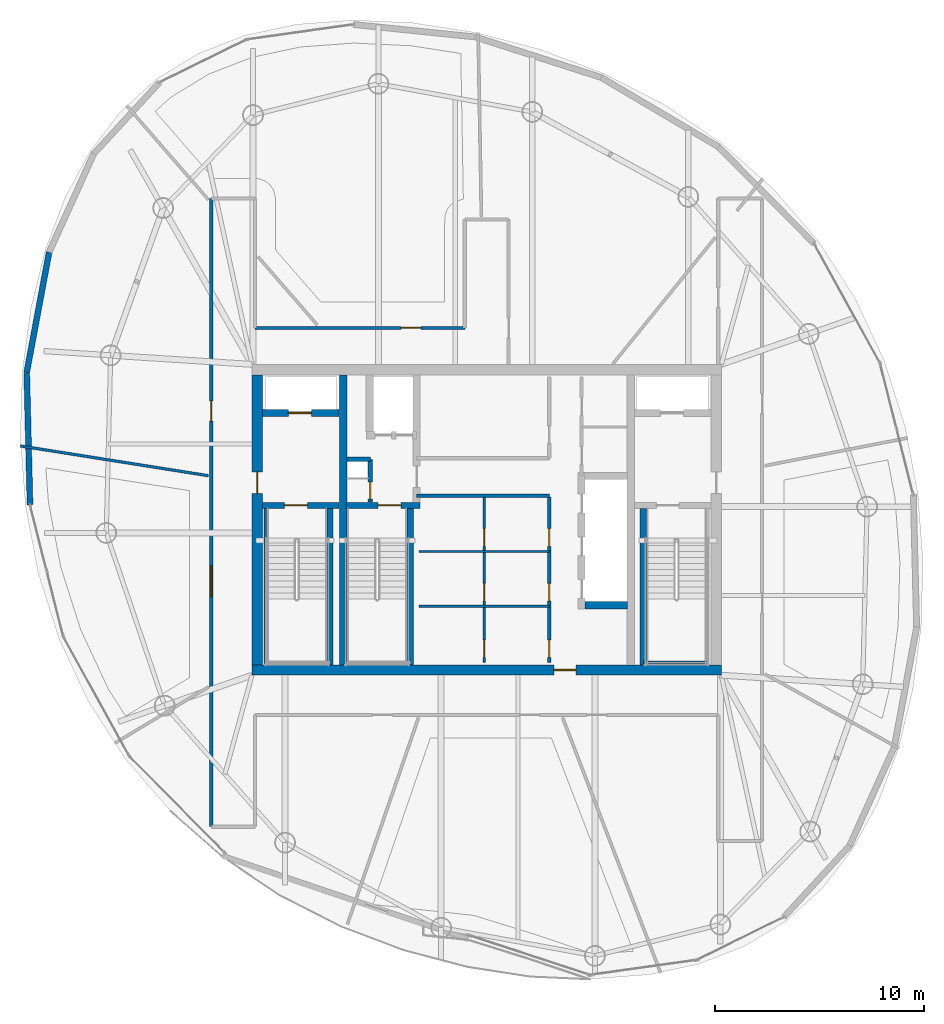
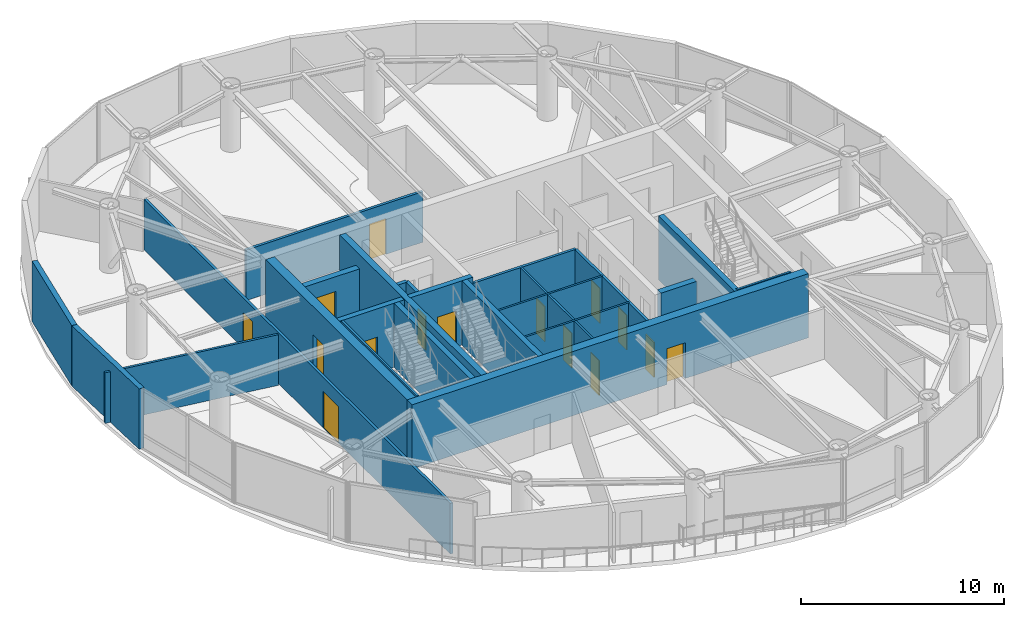
# One storey, part 15 of 20: 24 walls, 15 doors, 15 openings.
"""IFC4 building model written with IfcOpenShell, lengths in metres."""

import ifcopenshell
import ifcopenshell.guid

model = None  # the IFC model being written
_history = None  # IfcOwnerHistory: only IFC2X3 demands one
_inside = {}  # id of a spatial element -> (the spatial element, [elements in it])
_under = {}  # id of a project, library or spatial element -> (it, [spatial elements below it])
_declared = {}  # id of a project -> (the project, [libraries it declares])
_typed = {}  # id of a type object -> (the type object, [elements of that type])
_made_of = {}  # id of a material, layer set ... -> (it, [elements and type objects made of it])


def new_model(schema):
    """Start an empty IFC model of exactly this schema.

    Asked for "IFC4X3", IfcOpenShell would pick the latest addendum, in which some entities
    have other attributes; the version numbers below select the first issue.
    IFC2X3 requires an IfcOwnerHistory on every rooted entity: one is made here for all.
    """
    global model, _history
    if schema == "IFC4X3":
        model = ifcopenshell.file(schema_version=(4, 3, 0, 0))
    else:
        model = ifcopenshell.file(schema=schema)
    _inside.clear()
    _under.clear()
    _declared.clear()
    _typed.clear()
    _made_of.clear()
    _history = None
    if model.schema == "IFC2X3":
        org = make("IfcOrganization", Name="unknown")
        user = make(
            "IfcPersonAndOrganization",
            ThePerson=make("IfcPerson", FamilyName="unknown"),
            TheOrganization=org,
        )
        app = make(
            "IfcApplication",
            ApplicationDeveloper=org,
            Version="unknown",
            ApplicationFullName="unknown",
            ApplicationIdentifier="unknown",
        )
        _history = make(
            "IfcOwnerHistory",
            OwningUser=user,
            OwningApplication=app,
            ChangeAction="ADDED",
            CreationDate=0,
        )
    return model


def make(cls, **values):
    """One entity of the class cls with the attributes given. An attribute that is None is left unset."""
    return model.create_entity(
        cls, **{name: value for name, value in values.items() if value is not None}
    )


def rooted(cls, **values):
    """An entity with a GlobalId (a new one), such as an element, a storey or a relation."""
    return make(cls, GlobalId=ifcopenshell.guid.new(), OwnerHistory=_history, **values)


def si_unit(unit_type, name, prefix=None):
    """IfcSIUnit, for example si_unit("LENGTHUNIT", "METRE", prefix="MILLI")."""
    return make("IfcSIUnit", UnitType=unit_type, Prefix=prefix, Name=name)


def assignment(units):
    """IfcUnitAssignment: the units of a project."""
    return None if units is None else make("IfcUnitAssignment", Units=units)


def point(xyz):
    """IfcCartesianPoint."""
    return None if xyz is None else make("IfcCartesianPoint", Coordinates=xyz)


def direction(xyz):
    """IfcDirection."""
    return None if xyz is None else make("IfcDirection", DirectionRatios=xyz)


def frame(location, z_axis=None, x_axis=None):
    """IfcAxis2Placement3D, a coordinate frame: its origin and axes. An axis left out is left unset."""
    return make(
        "IfcAxis2Placement3D",
        Location=point(location),
        Axis=direction(z_axis),
        RefDirection=direction(x_axis),
    )


def frame_2d(location, x_axis=None):
    """IfcAxis2Placement2D, a coordinate frame in the plane: its origin and x axis."""
    return make(
        "IfcAxis2Placement2D", Location=point(location), RefDirection=direction(x_axis)
    )


def origin():
    """The frame at (0, 0, 0) with its axes left unset."""
    return frame((0.0, 0.0, 0.0))


def place(relative_to, where):
    """IfcLocalPlacement: puts the frame where relative to a parent placement (None: the world)."""
    return make(
        "IfcLocalPlacement", PlacementRelTo=relative_to, RelativePlacement=where
    )


def context(
    kind, dimensions, precision=None, world=None, true_north=None, identifier=None
):
    """IfcGeometricRepresentationContext, for example the 3D "Model" context."""
    return make(
        "IfcGeometricRepresentationContext",
        ContextIdentifier=identifier,
        ContextType=kind,
        CoordinateSpaceDimension=dimensions,
        Precision=precision,
        WorldCoordinateSystem=world,
        TrueNorth=true_north,
    )


def subcontext(parent, identifier, kind, view, scale=None):
    """IfcGeometricRepresentationSubContext, for example "Body" below "Model"."""
    return make(
        "IfcGeometricRepresentationSubContext",
        ContextIdentifier=identifier,
        ContextType=kind,
        ParentContext=parent,
        TargetScale=scale,
        TargetView=view,
    )


def project(units=None, contexts=None):
    """IfcProject with its units and contexts."""
    return rooted(
        "IfcProject",
        Name="project",
        RepresentationContexts=contexts,
        UnitsInContext=assignment(units),
    )


def spatial(cls, under=None, at=None, **own):
    """A site, building, storey or space (cls), placed at a placement, below another one or the project."""
    s = rooted(cls, ObjectPlacement=at, **own)
    if under is not None:
        _under.setdefault(under.id(), (under, []))[1].append(s)
    return s


def profile(cls, at=None, kind="AREA", **sizes):
    """A parametric profile (cls). Its sizes go by their IFC names, for example OverallWidth=200.0."""
    return make(cls, ProfileType=kind, Position=at, **sizes)


def rectangle(**sizes):
    """IfcRectangleProfileDef."""
    return profile("IfcRectangleProfileDef", **sizes)


def extrude(swept, where, along, depth):
    """IfcExtrudedAreaSolid: the profile swept, set in the frame where, extruded along a direction by depth."""
    return make(
        "IfcExtrudedAreaSolid",
        SweptArea=swept,
        Position=where,
        ExtrudedDirection=direction(along),
        Depth=depth,
    )


def shape(context_of_items, identifier, shape_type, items):
    """IfcShapeRepresentation: the items that make up one representation, for example the "Body"."""
    return make(
        "IfcShapeRepresentation",
        ContextOfItems=context_of_items,
        RepresentationIdentifier=identifier,
        RepresentationType=shape_type,
        Items=items,
    )


def material(Name=None, Category=None):
    """IfcMaterial."""
    return make("IfcMaterial", Name=Name, Category=Category)


def layer(
    of_material, thickness, ventilated=None, Name=None, Category=None, Priority=None
):
    """IfcMaterialLayer: one layer of a wall or slab, of a material (None: an air gap)."""
    return make(
        "IfcMaterialLayer",
        Material=of_material,
        LayerThickness=thickness,
        IsVentilated=ventilated,
        Name=Name,
        Category=Category,
        Priority=Priority,
    )


def layer_set(layers, Name=None):
    """IfcMaterialLayerSet."""
    return make("IfcMaterialLayerSet", MaterialLayers=layers, LayerSetName=Name)


def made_of(thing, what):
    """Note that an element or type object is made of a material, layer set ...; save() writes the relation."""
    if what is not None:
        _made_of.setdefault(what.id(), (what, []))[1].append(thing)
    return thing


def type_object(cls, material=None, **own):
    """A type object (cls), such as IfcWallType, which elements share."""
    return made_of(rooted(cls, **own), material)


def element(
    cls,
    number,
    at=None,
    inside=None,
    cuts=None,
    type_object=None,
    material=None,
    context=None,
    identifier="Body",
    shape_type=None,
    held_by="IfcProductDefinitionShape",
    body=None,
    shapes=None,
    **own,
):
    """One element of the class cls, such as IfcWall. Its Tag is "e" and its number.

    at: its placement. inside: the storey or other place that contains it. cuts: it is an
    opening in that element (IfcRelVoidsElement). A single representation is given by context,
    identifier, shape_type and body (its items); several are given by shapes. held_by: the class
    of the entity that holds the representations. save() writes the other relations.
    """
    e = rooted(cls, Tag="e%d" % number, ObjectPlacement=at, **own)
    if body is not None:
        shapes = [shape(context, identifier, shape_type, body)]
    if shapes is not None:
        e.Representation = make(held_by, Representations=shapes)
    if inside is not None:
        _inside.setdefault(inside.id(), (inside, []))[1].append(e)
    if cuts is not None:
        rooted(
            "IfcRelVoidsElement", RelatingBuildingElement=cuts, RelatedOpeningElement=e
        )
    if type_object is not None:
        _typed.setdefault(type_object.id(), (type_object, []))[1].append(e)
    return made_of(e, material)


def fill(opening, filler):
    """IfcRelFillsElement: the door or window that sits in an opening."""
    return rooted(
        "IfcRelFillsElement",
        RelatingOpeningElement=opening,
        RelatedBuildingElement=filler,
    )


def aggregate(whole, parts):
    """IfcRelAggregates: a whole, such as a stair, and the parts it consists of."""
    return rooted("IfcRelAggregates", RelatingObject=whole, RelatedObjects=parts)


def save(model, path):
    """Write the relations noted so far, then the file.

    IfcRelAggregates (storeys below a building ...), IfcRelContainedInSpatialStructure (elements
    in a storey), IfcRelDefinesByType, IfcRelAssociatesMaterial and IfcRelDeclares: one each for
    every whole, place, type object, material and project.
    """
    for whole, parts in _under.values():
        aggregate(whole, parts)
    for where, things in _inside.values():
        rooted(
            "IfcRelContainedInSpatialStructure",
            RelatedElements=things,
            RelatingStructure=where,
        )
    for kind, things in _typed.values():
        rooted("IfcRelDefinesByType", RelatedObjects=things, RelatingType=kind)
    for what, things in _made_of.values():
        rooted("IfcRelAssociatesMaterial", RelatedObjects=things, RelatingMaterial=what)
    for by, libraries in _declared.values():
        rooted("IfcRelDeclares", RelatingContext=by, RelatedDefinitions=libraries)
    model.write(path)


model = new_model("IFC4")

# Units and contexts
model_context = context("Model", 3, precision=1e-05, world=origin(), true_north=direction((0.0, 1.0)))
body_context = subcontext(model_context, "Body", "Model", "MODEL_VIEW")
ifc_project = project(units=[si_unit("LENGTHUNIT", "METRE"), si_unit("AREAUNIT", "SQUARE_METRE"), si_unit("VOLUMEUNIT", "CUBIC_METRE"), si_unit("PLANEANGLEUNIT", "RADIAN"), si_unit("MASSUNIT", "GRAM", prefix="KILO")], contexts=[model_context])

# Site, building, storey
site_placement = place(None, origin())
site = spatial("IfcSite", under=ifc_project, at=site_placement, CompositionType="ELEMENT")
building_placement = place(site_placement, origin())
building = spatial("IfcBuilding", under=site, at=building_placement, Name="Bramvorn Convention Spire", CompositionType="ELEMENT")
storey_placement = place(building_placement, frame((0.0, 0.0, 245.89990234375)))
storey = spatial("IfcBuildingStorey", under=building, at=storey_placement, Name="L62", CompositionType="ELEMENT", Elevation=245.89990234375)

# Wall, opening, door
ifc_material_1 = material(Name="Concrete C50/60", Category="concrete")
ifc_layer_1 = layer(ifc_material_1, 0.5)
ifc_layer_set_1 = layer_set([ifc_layer_1], Name="Concrete C50/60 - WL-CORE-500")
wall_type_1 = type_object("IfcWallType", Name="WL-CORE-500", PredefinedType="SHEAR", material=ifc_layer_set_1)
wall_1_placement = place(storey_placement, frame((26.75, 18.800048828125, 0.0), z_axis=(0.0, 0.0, 1.0), x_axis=(1.0, 0.0, 0.0)))
wall_1 = element("IfcWall", 1, at=wall_1_placement, inside=storey, type_object=wall_type_1, Name="L62 South RC core shear wall", PredefinedType="SHEAR", context=body_context, shape_type="SweptSolid", body=[
    extrude(rectangle(XDim=22.5, YDim=0.5, at=frame_2d((11.25, 0.0))), origin(), (0.0, 0.0, 1.0), 3.85009765625),
])
opening_1_placement = place(wall_1_placement, frame((14.469970703125, 0.0, 0.0)))
opening_1 = element("IfcOpeningElement", 2, at=opening_1_placement, cuts=wall_1, Name="Opening DL-105", PredefinedType="OPENING", context=body_context, shape_type="SweptSolid", body=[
    extrude(rectangle(XDim=1.050048828125, YDim=2.14990234375, at=frame_2d((0.52490234375, 1.074951171875))), frame((0.0, 0.260009765625, 0.0), z_axis=(0.0, -1.0, 0.0), x_axis=(1.0, 0.0, 0.0)), (0.0, 0.0, 1.0), 0.52001953125),
])
ifc_material_2 = material(Name="Smoke-Sealed Fire Lobby Timber-Core Door", Category="wood")
door_type_1 = type_object("IfcDoorType", Name="DR-LOBBY-1050", OperationType="NOTDEFINED", PredefinedType="DOOR", material=ifc_material_2)
door_1_placement = place(opening_1_placement, origin())
door_1 = element("IfcDoor", 3, at=door_1_placement, inside=storey, type_object=door_type_1, Name="L62 South Lift Lobby fire door", OperationType="SINGLE_SWING_RIGHT", OverallHeight=2.14990234375, OverallWidth=1.050048828125, PredefinedType="DOOR", context=body_context, shape_type="SweptSolid", body=[
    extrude(rectangle(XDim=1.050048828125, YDim=2.14990234375, at=frame_2d((0.52490234375, 1.074951171875))), frame((0.0, 0.02490234375, 0.0), z_axis=(0.0, -1.0, 0.0), x_axis=(1.0, 0.0, 0.0)), (0.0, 0.0, 1.0), 0.050048828125),
])
fill(opening_1, door_1)

wall_2_placement = place(storey_placement, frame((27.0, 19.050048828125, 0.0), z_axis=(0.0, 0.0, 1.0), x_axis=(0.0, 1.0, 0.0)))
wall_2 = element("IfcWall", 4, at=wall_2_placement, inside=storey, type_object=wall_type_1, Name="L62 West RC core shear wall", PredefinedType="SHEAR", context=body_context, shape_type="SweptSolid", body=[
    extrude(rectangle(XDim=13.89990234375, YDim=0.5, at=frame_2d((6.949951171875, 0.0))), origin(), (0.0, 0.0, 1.0), 3.85009765625),
])
opening_2_placement = place(wall_2_placement, frame((8.199951171875, 0.0, 0.0)))
opening_2 = element("IfcOpeningElement", 5, at=opening_2_placement, cuts=wall_2, Name="Opening DL-105", PredefinedType="OPENING", context=body_context, shape_type="SweptSolid", body=[
    extrude(rectangle(XDim=1.050048828125, YDim=2.14990234375, at=frame_2d((0.52490234375, 1.074951171875))), frame((0.0, 0.260009765625, 0.0), z_axis=(0.0, -1.0, 0.0), x_axis=(1.0, 0.0, 0.0)), (0.0, 0.0, 1.0), 0.52001953125),
])
door_2_placement = place(opening_2_placement, origin())
door_2 = element("IfcDoor", 6, at=door_2_placement, inside=storey, type_object=door_type_1, Name="L62 West Firefighting Lobby corridor door", OperationType="SINGLE_SWING_RIGHT", OverallHeight=2.14990234375, OverallWidth=1.050048828125, PredefinedType="DOOR", context=body_context, shape_type="SweptSolid", body=[
    extrude(rectangle(XDim=1.050048828125, YDim=2.14990234375, at=frame_2d((0.52490234375, 1.074951171875))), frame((0.0, 0.02490234375, 0.0), z_axis=(0.0, -1.0, 0.0), x_axis=(1.0, 0.0, 0.0)), (0.0, 0.0, 1.0), 0.050048828125),
])
fill(opening_2, door_2)

# Wall
ifc_layer_2 = layer(ifc_material_1, 0.35009765625)
ifc_layer_set_2 = layer_set([ifc_layer_2], Name="Concrete C50/60 - WL-CORE-INT-350")
wall_type_2 = type_object("IfcWallType", Name="WL-CORE-INT-350", PredefinedType="SHEAR", material=ifc_layer_set_2)
wall_3_placement = place(storey_placement, frame((31.1298828125, 19.050048828125, 0.0), z_axis=(0.0, 0.0, 1.0), x_axis=(0.0, 1.0, 0.0)))
element("IfcWall", 7, at=wall_3_placement, inside=storey, type_object=wall_type_2, Name="L62 West internal core shear web", PredefinedType="SHEAR", context=body_context, shape_type="SweptSolid", body=[
    extrude(rectangle(XDim=13.89990234375, YDim=0.35009765625, at=frame_2d((6.949951171875, 0.0))), origin(), (0.0, 0.0, 1.0), 3.85009765625),
])

# Wall, opening, door
wall_4_placement = place(storey_placement, frame((27.25, 31.1201171875, 0.0), z_axis=(0.0, 0.0, 1.0), x_axis=(1.0, 0.0, 0.0)))
wall_4 = element("IfcWall", 8, at=wall_4_placement, inside=storey, type_object=wall_type_2, Name="L62 FE1 shaft front wall", PredefinedType="SHEAR", context=body_context, shape_type="SweptSolid", body=[
    extrude(rectangle(XDim=3.669921875, YDim=0.35009765625, at=frame_2d((1.8349609375, 0.0))), origin(), (0.0, 0.0, 1.0), 3.0400390625),
])
opening_3_placement = place(wall_4_placement, frame((1.25, 0.0, 0.0)))
opening_3 = element("IfcOpeningElement", 9, at=opening_3_placement, cuts=wall_4, Name="Opening LD-110", PredefinedType="OPENING", context=body_context, shape_type="SweptSolid", body=[
    extrude(rectangle(XDim=1.10009765625, YDim=2.14990234375, at=frame_2d((0.550048828125, 1.074951171875))), frame((0.0, 0.18505859375, 0.0), z_axis=(0.0, -1.0, 0.0), x_axis=(1.0, 0.0, 0.0)), (0.0, 0.0, 1.0), 0.3701171875),
])
ifc_material_3 = material(Name="Firefighting & Service Lift Sliding Landing Door", Category="steel")
door_type_2 = type_object("IfcDoorType", Name="DR-LIFT-LD-1100", OperationType="NOTDEFINED", PredefinedType="DOOR", material=ifc_material_3)
door_3_placement = place(opening_3_placement, origin())
door_3 = element("IfcDoor", 10, at=door_3_placement, inside=storey, type_object=door_type_2, Name="L62 Lift FE1 Sliding Landing Door", OperationType="SLIDING_TO_LEFT", OverallHeight=2.14990234375, OverallWidth=1.10009765625, PredefinedType="DOOR", context=body_context, shape_type="SweptSolid", body=[
    extrude(rectangle(XDim=1.10009765625, YDim=2.14990234375, at=frame_2d((0.550048828125, 1.074951171875))), frame((0.0, 0.02490234375, 0.0), z_axis=(0.0, -1.0, 0.0), x_axis=(1.0, 0.0, 0.0)), (0.0, 0.0, 1.0), 0.050048828125),
])
fill(opening_3, door_3)

# Walls
wall_5_placement = place(storey_placement, frame((42.719970703125, 21.89990234375, 0.0), z_axis=(0.0, 0.0, 1.0), x_axis=(1.0, 0.0, 0.0)))
element("IfcWall", 11, at=wall_5_placement, inside=storey, type_object=wall_type_2, Name="L62 High-rise lift bank south wall", PredefinedType="SHEAR", context=body_context, shape_type="SweptSolid", body=[
    extrude(rectangle(XDim=2.030029296875, YDim=0.35009765625, at=frame_2d((1.01513671875, 0.0))), origin(), (0.0, 0.0, 1.0), 3.0400390625),
])
ifc_material_4 = material(Name="Precast Concrete C40/50 with Bronze Terracotta Rainscreen", Category="masonry")
ifc_layer_3 = layer(ifc_material_4, 0.300048828125)
ifc_layer_set_3 = layer_set([ifc_layer_3], Name="Precast Concrete C40/50 with Bronze Terracotta Rainscreen - WL-EXT-BRONZE-300")
wall_type_3 = type_object("IfcWallType", Name="WL-EXT-BRONZE-300", PredefinedType="SOLIDWALL", material=ifc_layer_set_3)
wall_6_placement = place(storey_placement, frame((15.953857421875, 33.065185546875, 0.0), z_axis=(0.0, 0.0, 1.0), x_axis=(0.183191664763, 0.983077216683, 0.0)))
element("IfcWall", 12, at=wall_6_placement, inside=storey, type_object=wall_type_3, Name="L62 expressed bronze Gothic lancet pier wall 15", PredefinedType="SOLIDWALL", context=body_context, shape_type="SweptSolid", body=[
    extrude(rectangle(XDim=5.85986328125, YDim=0.280029296875, at=frame_2d((2.929931640625, 0.0))), origin(), (0.0, 0.0, 1.0), 3.625),
])
wall_7_placement = place(storey_placement, frame((16.111083984375, 26.721923828125, 0.0), z_axis=(0.0, 0.0, 1.0), x_axis=(-0.024778780137, 0.99969295889, 0.0)))
element("IfcWall", 13, at=wall_7_placement, inside=storey, type_object=wall_type_3, Name="L62 expressed bronze Gothic lancet pier wall 16", PredefinedType="SOLIDWALL", context=body_context, shape_type="SweptSolid", body=[
    extrude(rectangle(XDim=6.34521484375, YDim=0.280029296875, at=frame_2d((3.172607421875, 0.0))), origin(), (0.0, 0.0, 1.0), 3.625),
])

# Wall, openings, doors
ifc_material_5 = material(Name="Lightweight En-Suite & Wet-Wall Partition", Category="gypsum")
ifc_layer_4 = layer(ifc_material_5, 0.110107421875)
ifc_layer_set_4 = layer_set([ifc_layer_4], Name="Lightweight En-Suite & Wet-Wall Partition - WL-PART-110")
wall_type_4 = type_object("IfcWallType", Name="WL-PART-110", PredefinedType="PARTITIONING", material=ifc_layer_set_4)
wall_8_placement = place(storey_placement, frame((37.8798828125, 19.14990234375, 0.0), z_axis=(0.0, 0.0, 1.0), x_axis=(0.0, 1.0, 0.0)))
wall_8 = element("IfcWall", 14, at=wall_8_placement, inside=storey, type_object=wall_type_4, Name="L62 KB center wall", PredefinedType="PARTITIONING", context=body_context, shape_type="SweptSolid", body=[
    extrude(rectangle(XDim=7.9501953125, YDim=0.110107421875, at=frame_2d((3.97509765625, 0.0))), origin(), (0.0, 0.0, 1.0), 3.0400390625),
])
opening_4_placement = place(wall_8_placement, frame((0.25, 0.0, 0.0)))
opening_4 = element("IfcOpeningElement", 15, at=opening_4_placement, cuts=wall_8, Name="Opening DC-085", PredefinedType="OPENING", context=body_context, shape_type="SweptSolid", body=[
    extrude(rectangle(XDim=0.85009765625, YDim=2.10009765625, at=frame_2d((0.425048828125, 1.050048828125))), frame((0.0, 0.06494140625, 0.0), z_axis=(0.0, -1.0, 0.0), x_axis=(1.0, 0.0, 0.0)), (0.0, 0.0, 1.0), 0.130126953125),
])
opening_5_placement = place(wall_8_placement, frame((2.952880859375, 0.0, 0.0)))
opening_5 = element("IfcOpeningElement", 16, at=opening_5_placement, cuts=wall_8, Name="Opening DC-085", PredefinedType="OPENING", context=body_context, shape_type="SweptSolid", body=[
    extrude(rectangle(XDim=0.85009765625, YDim=2.10009765625, at=frame_2d((0.425048828125, 1.050048828125))), frame((0.0, 0.06494140625, 0.0), z_axis=(0.0, -1.0, 0.0), x_axis=(1.0, 0.0, 0.0)), (0.0, 0.0, 1.0), 0.130126953125),
])
opening_6_placement = place(wall_8_placement, frame((5.576416015625, 0.0, 0.0)))
opening_6 = element("IfcOpeningElement", 17, at=opening_6_placement, cuts=wall_8, Name="Opening DC-085", PredefinedType="OPENING", context=body_context, shape_type="SweptSolid", body=[
    extrude(rectangle(XDim=0.85009765625, YDim=2.10009765625, at=frame_2d((0.425048828125, 1.050048828125))), frame((0.0, 0.06494140625, 0.0), z_axis=(0.0, -1.0, 0.0), x_axis=(1.0, 0.0, 0.0)), (0.0, 0.0, 1.0), 0.130126953125),
])
ifc_material_6 = material(Name="Fire-Rated Core Washroom & IDF Door", Category="wood")
door_type_3 = type_object("IfcDoorType", Name="DR-CORE-850", OperationType="NOTDEFINED", PredefinedType="DOOR", material=ifc_material_6)
door_4_placement = place(opening_4_placement, origin())
door_4 = element("IfcDoor", 18, at=door_4_placement, inside=storey, type_object=door_type_3, Name="L62 Core Linen Store door", OperationType="SINGLE_SWING_LEFT", OverallHeight=2.10009765625, OverallWidth=0.85009765625, PredefinedType="DOOR", context=body_context, shape_type="SweptSolid", body=[
    extrude(rectangle(XDim=0.85009765625, YDim=2.10009765625, at=frame_2d((0.425048828125, 1.050048828125))), frame((0.0, 0.02490234375, 0.0), z_axis=(0.0, -1.0, 0.0), x_axis=(1.0, 0.0, 0.0)), (0.0, 0.0, 1.0), 0.050048828125),
])
fill(opening_4, door_4)
door_5_placement = place(opening_5_placement, origin())
door_5 = element("IfcDoor", 19, at=door_5_placement, inside=storey, type_object=door_type_3, Name="L62 Core Metering Closet door", OperationType="SINGLE_SWING_LEFT", OverallHeight=2.10009765625, OverallWidth=0.85009765625, PredefinedType="DOOR", context=body_context, shape_type="SweptSolid", body=[
    extrude(rectangle(XDim=0.85009765625, YDim=2.10009765625, at=frame_2d((0.425048828125, 1.050048828125))), frame((0.0, 0.02490234375, 0.0), z_axis=(0.0, -1.0, 0.0), x_axis=(1.0, 0.0, 0.0)), (0.0, 0.0, 1.0), 0.050048828125),
])
fill(opening_5, door_5)
door_6_placement = place(opening_6_placement, origin())
door_6 = element("IfcDoor", 20, at=door_6_placement, inside=storey, type_object=door_type_3, Name="L62 Core Janitor Supply door", OperationType="SINGLE_SWING_LEFT", OverallHeight=2.10009765625, OverallWidth=0.85009765625, PredefinedType="DOOR", context=body_context, shape_type="SweptSolid", body=[
    extrude(rectangle(XDim=0.85009765625, YDim=2.10009765625, at=frame_2d((0.425048828125, 1.050048828125))), frame((0.0, 0.02490234375, 0.0), z_axis=(0.0, -1.0, 0.0), x_axis=(1.0, 0.0, 0.0)), (0.0, 0.0, 1.0), 0.050048828125),
])
fill(opening_6, door_6)

# Walls
for number, where, z_axis, x_axis, name in (
    (21, (34.75, 21.85302734375, 0.0), (0.0, 0.0, 1.0), (1.0, 0.0, 0.0), "L62 KB divider 1"),
    (22, (34.75, 24.4765625, 0.0), (0.0, 0.0, 1.0), (1.0, 0.0, 0.0), "L62 KB divider 2"),
):
    element("IfcWall", number, at=place(storey_placement, frame(where, z_axis=z_axis, x_axis=x_axis)), inside=storey, type_object=wall_type_4, Name=name, PredefinedType="PARTITIONING", context=body_context, shape_type="SweptSolid", body=[
        extrude(rectangle(XDim=6.25, YDim=0.110107421875, at=frame_2d((3.125, 0.0))), origin(), (0.0, 0.0, 1.0), 3.0400390625),
    ])
ifc_material_7 = material(Name="Metal-Stud Demountable Office Partition", Category="gypsum")
ifc_layer_5 = layer(ifc_material_7, 0.1298828125)
ifc_layer_set_5 = layer_set([ifc_layer_5], Name="Metal-Stud Demountable Office Partition - WL-PART-130")
wall_type_5 = type_object("IfcWallType", Name="WL-PART-130", PredefinedType="PARTITIONING", material=ifc_layer_set_5)
wall_9_placement = place(storey_placement, frame((24.659912109375, 28.11279296875, 0.0), z_axis=(0.0, 0.0, 1.0), x_axis=(-0.98768784325, 0.156437605123, 0.0)))
element("IfcWall", 23, at=wall_9_placement, inside=storey, type_object=wall_type_5, Name="L62 Tenant suite partition 5", PredefinedType="PARTITIONING", context=body_context, shape_type="SweptSolid", body=[
    extrude(rectangle(XDim=9.131103515625, YDim=0.1298828125, at=frame_2d((4.5654296875, 0.0))), origin(), (0.0, 0.0, 1.0), 3.0400390625),
])
ifc_material_8 = material(Name="Acoustic Metal-Stud Tenant/Corridor Partition", Category="gypsum")
ifc_layer_6 = layer(ifc_material_8, 0.14990234375)
ifc_layer_set_6 = layer_set([ifc_layer_6], Name="Acoustic Metal-Stud Tenant/Corridor Partition - WL-PART-150")
wall_type_6 = type_object("IfcWallType", Name="WL-PART-150", PredefinedType="PARTITIONING", material=ifc_layer_set_6)
wall_10_placement = place(storey_placement, frame((34.639892578125, 27.14990234375, 0.0), z_axis=(0.0, 0.0, 1.0), x_axis=(1.0, 0.0, 0.0)))
element("IfcWall", 24, at=wall_10_placement, inside=storey, type_object=wall_type_6, Name="L62 Cross-core passage south wall", PredefinedType="PARTITIONING", context=body_context, shape_type="SweptSolid", body=[
    extrude(rectangle(XDim=6.360107421875, YDim=0.14990234375, at=frame_2d((3.18017578125, 0.0))), origin(), (0.0, 0.0, 1.0), 3.0400390625),
])

# Wall, openings, doors
wall_11_placement = place(storey_placement, frame((41.0, 19.14990234375, 0.0), z_axis=(0.0, 0.0, 1.0), x_axis=(0.0, 1.0, 0.0)))
wall_11 = element("IfcWall", 25, at=wall_11_placement, inside=storey, type_object=wall_type_6, Name="L62 KB east core wall", PredefinedType="PARTITIONING", context=body_context, shape_type="SweptSolid", body=[
    extrude(rectangle(XDim=7.9501953125, YDim=0.14990234375, at=frame_2d((3.97509765625, 0.0))), origin(), (0.0, 0.0, 1.0), 3.0400390625),
])
opening_7_placement = place(wall_11_placement, frame((0.25, 0.0, 0.0)))
opening_7 = element("IfcOpeningElement", 26, at=opening_7_placement, cuts=wall_11, Name="Opening DC-085", PredefinedType="OPENING", context=body_context, shape_type="SweptSolid", body=[
    extrude(rectangle(XDim=0.85009765625, YDim=2.10009765625, at=frame_2d((0.425048828125, 1.050048828125))), frame((0.0, 0.0849609375, 0.0), z_axis=(0.0, -1.0, 0.0), x_axis=(1.0, 0.0, 0.0)), (0.0, 0.0, 1.0), 0.169921875),
])
opening_8_placement = place(wall_11_placement, frame((2.952880859375, 0.0, 0.0)))
opening_8 = element("IfcOpeningElement", 27, at=opening_8_placement, cuts=wall_11, Name="Opening DC-085", PredefinedType="OPENING", context=body_context, shape_type="SweptSolid", body=[
    extrude(rectangle(XDim=0.85009765625, YDim=2.10009765625, at=frame_2d((0.425048828125, 1.050048828125))), frame((0.0, 0.0849609375, 0.0), z_axis=(0.0, -1.0, 0.0), x_axis=(1.0, 0.0, 0.0)), (0.0, 0.0, 1.0), 0.169921875),
])
opening_9_placement = place(wall_11_placement, frame((5.576416015625, 0.0, 0.0)))
opening_9 = element("IfcOpeningElement", 28, at=opening_9_placement, cuts=wall_11, Name="Opening DC-085", PredefinedType="OPENING", context=body_context, shape_type="SweptSolid", body=[
    extrude(rectangle(XDim=0.85009765625, YDim=2.10009765625, at=frame_2d((0.425048828125, 1.050048828125))), frame((0.0, 0.0849609375, 0.0), z_axis=(0.0, -1.0, 0.0), x_axis=(1.0, 0.0, 0.0)), (0.0, 0.0, 1.0), 0.169921875),
])
door_7_placement = place(opening_7_placement, origin())
door_7 = element("IfcDoor", 29, at=door_7_placement, inside=storey, type_object=door_type_3, Name="L62 Accessible Core Restroom door", OperationType="SINGLE_SWING_LEFT", OverallHeight=2.10009765625, OverallWidth=0.85009765625, PredefinedType="DOOR", context=body_context, shape_type="SweptSolid", body=[
    extrude(rectangle(XDim=0.85009765625, YDim=2.10009765625, at=frame_2d((0.425048828125, 1.050048828125))), frame((0.0, 0.02490234375, 0.0), z_axis=(0.0, -1.0, 0.0), x_axis=(1.0, 0.0, 0.0)), (0.0, 0.0, 1.0), 0.050048828125),
])
fill(opening_7, door_7)
door_8_placement = place(opening_8_placement, origin())
door_8 = element("IfcDoor", 30, at=door_8_placement, inside=storey, type_object=door_type_3, Name="L62 Tenant Pantry & Copy Centre door", OperationType="SINGLE_SWING_LEFT", OverallHeight=2.10009765625, OverallWidth=0.85009765625, PredefinedType="DOOR", context=body_context, shape_type="SweptSolid", body=[
    extrude(rectangle(XDim=0.85009765625, YDim=2.10009765625, at=frame_2d((0.425048828125, 1.050048828125))), frame((0.0, 0.02490234375, 0.0), z_axis=(0.0, -1.0, 0.0), x_axis=(1.0, 0.0, 0.0)), (0.0, 0.0, 1.0), 0.050048828125),
])
fill(opening_8, door_8)
door_9_placement = place(opening_9_placement, origin())
door_9 = element("IfcDoor", 31, at=door_9_placement, inside=storey, type_object=door_type_3, Name="L62 Gender-Neutral Core WC door", OperationType="SINGLE_SWING_LEFT", OverallHeight=2.10009765625, OverallWidth=0.85009765625, PredefinedType="DOOR", context=body_context, shape_type="SweptSolid", body=[
    extrude(rectangle(XDim=0.85009765625, YDim=2.10009765625, at=frame_2d((0.425048828125, 1.050048828125))), frame((0.0, 0.02490234375, 0.0), z_axis=(0.0, -1.0, 0.0), x_axis=(1.0, 0.0, 0.0)), (0.0, 0.0, 1.0), 0.050048828125),
])
fill(opening_9, door_9)

# Wall, opening, door
wall_12_placement = place(storey_placement, frame((26.89990234375, 35.199951171875, 0.0), z_axis=(0.0, 0.0, 1.0), x_axis=(1.0, 0.0, 0.0)))
wall_12 = element("IfcWall", 32, at=wall_12_placement, inside=storey, type_object=wall_type_6, Name="L62 North-west spur link wall", PredefinedType="PARTITIONING", context=body_context, shape_type="SweptSolid", body=[
    extrude(rectangle(XDim=10.050048828125, YDim=0.14990234375, at=frame_2d((5.02490234375, 0.0))), origin(), (0.0, 0.0, 1.0), 3.0400390625),
])
opening_10_placement = place(wall_12_placement, frame((6.9951171875, 0.0, 0.0)))
opening_10 = element("IfcOpeningElement", 33, at=opening_10_placement, cuts=wall_12, Name="Opening DH-095", PredefinedType="OPENING", context=body_context, shape_type="SweptSolid", body=[
    extrude(rectangle(XDim=0.949951171875, YDim=2.14990234375, at=frame_2d((0.47509765625, 1.074951171875))), frame((0.0, 0.0849609375, 0.0), z_axis=(0.0, -1.0, 0.0), x_axis=(1.0, 0.0, 0.0)), (0.0, 0.0, 1.0), 0.169921875),
])
ifc_material_9 = material(Name="Solid-Core Acoustic Guestroom Entry Door", Category="wood")
door_type_4 = type_object("IfcDoorType", Name="DR-HOTEL-950", OperationType="NOTDEFINED", PredefinedType="DOOR", material=ifc_material_9)
door_10_placement = place(opening_10_placement, origin())
door_10 = element("IfcDoor", 34, at=door_10_placement, inside=storey, type_object=door_type_4, Name="L62 Conference Meeting Room 4 4 door", OperationType="SINGLE_SWING_RIGHT", OverallHeight=2.14990234375, OverallWidth=0.949951171875, PredefinedType="DOOR", context=body_context, shape_type="SweptSolid", body=[
    extrude(rectangle(XDim=0.949951171875, YDim=2.14990234375, at=frame_2d((0.47509765625, 1.074951171875))), frame((0.0, 0.02490234375, 0.0), z_axis=(0.0, -1.0, 0.0), x_axis=(1.0, 0.0, 0.0)), (0.0, 0.0, 1.0), 0.050048828125),
])
fill(opening_10, door_10)

# Wall, openings, doors
wall_13_placement = place(storey_placement, frame((24.800048828125, 11.289794921875, 0.0), z_axis=(0.0, 0.0, 1.0), x_axis=(0.0, 1.0, 0.0)))
wall_13 = element("IfcWall", 35, at=wall_13_placement, inside=storey, type_object=wall_type_6, Name="L62 West N-S gallery outer wall", PredefinedType="PARTITIONING", context=body_context, shape_type="SweptSolid", body=[
    extrude(rectangle(XDim=30.110107421875, YDim=0.14990234375, at=frame_2d((15.05517578125, 0.0))), origin(), (0.0, 0.0, 1.0), 3.0400390625),
])
opening_11_placement = place(wall_13_placement, frame((19.4453125, 0.0, 0.0)))
opening_11 = element("IfcOpeningElement", 36, at=opening_11_placement, cuts=wall_13, Name="Opening DH-095", PredefinedType="OPENING", context=body_context, shape_type="SweptSolid", body=[
    extrude(rectangle(XDim=0.949951171875, YDim=2.14990234375, at=frame_2d((0.47509765625, 1.074951171875))), frame((0.0, 0.0849609375, 0.0), z_axis=(0.0, -1.0, 0.0), x_axis=(1.0, 0.0, 0.0)), (0.0, 0.0, 1.0), 0.169921875),
])
opening_12_placement = place(wall_13_placement, frame((11.010986328125, 0.0, 0.0)))
opening_12 = element("IfcOpeningElement", 37, at=opening_12_placement, cuts=wall_13, Name="Opening DC-150", PredefinedType="OPENING", context=body_context, shape_type="SweptSolid", body=[
    extrude(rectangle(XDim=1.5, YDim=2.199951171875, at=frame_2d((0.75, 1.10009765625))), frame((0.0, 0.0849609375, 0.0), z_axis=(0.0, -1.0, 0.0), x_axis=(1.0, 0.0, 0.0)), (0.0, 0.0, 1.0), 0.169921875),
])
ifc_material_10 = material(Name="Double-Leaf Smoke-Control Corridor Door", Category="wood")
door_type_5 = type_object("IfcDoorType", Name="DR-COR-1500", OperationType="NOTDEFINED", PredefinedType="DOOR", material=ifc_material_10)
door_11_placement = place(opening_12_placement, origin())
door_11 = element("IfcDoor", 38, at=door_11_placement, inside=storey, type_object=door_type_5, Name="L62 Open-Plan Team Office 6 door", OperationType="DOUBLE_DOOR_SINGLE_SWING", OverallHeight=2.199951171875, OverallWidth=1.5, PredefinedType="DOOR", context=body_context, shape_type="SweptSolid", body=[
    extrude(rectangle(XDim=1.5, YDim=2.199951171875, at=frame_2d((0.75, 1.10009765625))), frame((0.0, 0.02490234375, 0.0), z_axis=(0.0, -1.0, 0.0), x_axis=(1.0, 0.0, 0.0)), (0.0, 0.0, 1.0), 0.050048828125),
])
fill(opening_12, door_11)
door_12_placement = place(opening_11_placement, origin())
door_12 = element("IfcDoor", 39, at=door_12_placement, inside=storey, type_object=door_type_4, Name="L62 Conference Meeting Room 5 5 door", OperationType="SINGLE_SWING_LEFT", OverallHeight=2.14990234375, OverallWidth=0.949951171875, PredefinedType="DOOR", context=body_context, shape_type="SweptSolid", body=[
    extrude(rectangle(XDim=0.949951171875, YDim=2.14990234375, at=frame_2d((0.47509765625, 1.074951171875))), frame((0.0, 0.02490234375, 0.0), z_axis=(0.0, -1.0, 0.0), x_axis=(1.0, 0.0, 0.0)), (0.0, 0.0, 1.0), 0.050048828125),
])
fill(opening_11, door_12)

# Wall, opening, door
ifc_material_11 = material(Name="Gypsum Shaftwall & Rockwool Core Partition", Category="gypsum")
ifc_layer_7 = layer(ifc_material_11, 0.199951171875)
ifc_layer_set_7 = layer_set([ifc_layer_7], Name="Gypsum Shaftwall & Rockwool Core Partition - WL-PART-200-FR")
wall_type_7 = type_object("IfcWallType", Name="WL-PART-200-FR", PredefinedType="PARTITIONING", material=ifc_layer_set_7)
wall_14_placement = place(storey_placement, frame((32.419921875, 26.860107421875, 0.0), z_axis=(0.0, 0.0, 1.0), x_axis=(0.0, 1.0, 0.0)))
wall_14 = element("IfcWall", 40, at=wall_14_placement, inside=storey, type_object=wall_type_7, Name="L62 Telecom riser east wall", PredefinedType="PARTITIONING", context=body_context, shape_type="SweptSolid", body=[
    extrude(rectangle(XDim=2.039794921875, YDim=0.199951171875, at=frame_2d((1.02001953125, 0.0))), origin(), (0.0, 0.0, 1.0), 3.0400390625),
])
opening_13_placement = place(wall_14_placement, frame((0.139892578125, 0.0, 0.0)))
opening_13 = element("IfcOpeningElement", 41, at=opening_13_placement, cuts=wall_14, Name="Opening DR-080", PredefinedType="OPENING", context=body_context, shape_type="SweptSolid", body=[
    extrude(rectangle(XDim=0.800048828125, YDim=2.050048828125, at=frame_2d((0.39990234375, 1.02490234375))), frame((0.0, 0.10986328125, 0.0), z_axis=(0.0, -1.0, 0.0), x_axis=(1.0, 0.0, 0.0)), (0.0, 0.0, 1.0), 0.219970703125),
])
ifc_material_12 = material(Name="Flush Steel Riser Access Door", Category="steel")
door_type_6 = type_object("IfcDoorType", Name="DR-RISER-800", OperationType="NOTDEFINED", PredefinedType="DOOR", material=ifc_material_12)
door_13_placement = place(opening_13_placement, origin())
door_13 = element("IfcDoor", 42, at=door_13_placement, inside=storey, type_object=door_type_6, Name="L62 Telecom riser access door", OperationType="SINGLE_SWING_RIGHT", OverallHeight=2.050048828125, OverallWidth=0.800048828125, PredefinedType="DOOR", context=body_context, shape_type="SweptSolid", body=[
    extrude(rectangle(XDim=0.800048828125, YDim=2.050048828125, at=frame_2d((0.39990234375, 1.02490234375))), frame((0.0, 0.02490234375, 0.0), z_axis=(0.0, -1.0, 0.0), x_axis=(1.0, 0.0, 0.0)), (0.0, 0.0, 1.0), 0.050048828125),
])
fill(opening_13, door_13)

# Wall
wall_15_placement = place(storey_placement, frame((31.300048828125, 28.89990234375, 0.0), z_axis=(0.0, 0.0, 1.0), x_axis=(1.0, 0.0, 0.0)))
element("IfcWall", 43, at=wall_15_placement, inside=storey, type_object=wall_type_7, Name="L62 Telecom riser north wall", PredefinedType="PARTITIONING", context=body_context, shape_type="SweptSolid", body=[
    extrude(rectangle(XDim=1.119873046875, YDim=0.199951171875, at=frame_2d((0.56005859375, 0.0))), origin(), (0.0, 0.0, 1.0), 3.0400390625),
])

# Wall, opening, door
ifc_layer_8 = layer(ifc_material_1, 0.300048828125)
ifc_layer_set_8 = layer_set([ifc_layer_8], Name="Concrete C50/60 - WL-POD-STAIR-300")
wall_type_8 = type_object("IfcWallType", Name="WL-POD-STAIR-300", PredefinedType="SHEAR", material=ifc_layer_set_8)
wall_16_placement = place(storey_placement, frame((27.25, 26.68994140625, 0.0), z_axis=(0.0, 0.0, 1.0), x_axis=(1.0, 0.0, 0.0)))
wall_16 = element("IfcWall", 44, at=wall_16_placement, inside=storey, type_object=wall_type_8, Name="L62 ST1 north fire wall", PredefinedType="SHEAR", context=body_context, shape_type="SweptSolid", body=[
    extrude(rectangle(XDim=3.669921875, YDim=0.300048828125, at=frame_2d((1.8349609375, 0.0))), origin(), (0.0, 0.0, 1.0), 3.85009765625),
])
opening_14_placement = place(wall_16_placement, frame((1.050048828125, 0.0, 0.0)))
opening_14 = element("IfcOpeningElement", 45, at=opening_14_placement, cuts=wall_16, Name="Opening DS-110", PredefinedType="OPENING", context=body_context, shape_type="SweptSolid", body=[
    extrude(rectangle(XDim=1.10009765625, YDim=2.14990234375, at=frame_2d((0.550048828125, 1.074951171875))), frame((0.0, 0.159912109375, 0.0), z_axis=(0.0, -1.0, 0.0), x_axis=(1.0, 0.0, 0.0)), (0.0, 0.0, 1.0), 0.320068359375),
])
ifc_material_13 = material(Name="Fire-Rated Hollow Steel Stairwell Door", Category="steel")
door_type_7 = type_object("IfcDoorType", Name="DR-STAIR-1100", OperationType="NOTDEFINED", PredefinedType="DOOR", material=ifc_material_13)
door_14_placement = place(opening_14_placement, origin())
door_14 = element("IfcDoor", 46, at=door_14_placement, inside=storey, type_object=door_type_7, Name="L62 Stair ST1 fire door", OperationType="SINGLE_SWING_LEFT", OverallHeight=2.14990234375, OverallWidth=1.10009765625, PredefinedType="DOOR", context=body_context, shape_type="SweptSolid", body=[
    extrude(rectangle(XDim=1.10009765625, YDim=2.14990234375, at=frame_2d((0.550048828125, 1.074951171875))), frame((0.0, 0.02490234375, 0.0), z_axis=(0.0, -1.0, 0.0), x_axis=(1.0, 0.0, 0.0)), (0.0, 0.0, 1.0), 0.050048828125),
])
fill(opening_14, door_14)

# Walls
for number, where, z_axis, x_axis, name in (
    (47, (30.489990234375, 19.050048828125, 0.0), (0.0, 0.0, 1.0), (0.0, 1.0, 0.0), "L62 ST1 east bearing wall"),
    (48, (45.510009765625, 19.050048828125, 0.0), (0.0, 0.0, 1.0), (0.0, 1.0, 0.0), "L62 ST2 west bearing wall"),
    (49, (34.340087890625, 19.050048828125, 0.0), (0.0, 0.0, 1.0), (0.0, 1.0, 0.0), "L62 ST3 east bearing wall"),
):
    element("IfcWall", number, at=place(storey_placement, frame(where, z_axis=z_axis, x_axis=x_axis)), inside=storey, type_object=wall_type_8, Name=name, PredefinedType="SHEAR", context=body_context, shape_type="SweptSolid", body=[
        extrude(rectangle(XDim=7.5, YDim=0.300048828125, at=frame_2d((3.75, 0.0))), origin(), (0.0, 0.0, 1.0), 3.85009765625),
    ])

# Wall, opening, door
wall_17_placement = place(storey_placement, frame((31.25, 26.68994140625, 0.0), z_axis=(0.0, 0.0, 1.0), x_axis=(1.0, 0.0, 0.0)))
wall_17 = element("IfcWall", 50, at=wall_17_placement, inside=storey, type_object=wall_type_8, Name="L62 ST3 north lobby wall", PredefinedType="SHEAR", context=body_context, shape_type="SweptSolid", body=[
    extrude(rectangle(XDim=3.56005859375, YDim=0.300048828125, at=frame_2d((1.780029296875, 0.0))), origin(), (0.0, 0.0, 1.0), 3.85009765625),
])
opening_15_placement = place(wall_17_placement, frame((1.550048828125, 0.0, 0.0)))
opening_15 = element("IfcOpeningElement", 51, at=opening_15_placement, cuts=wall_17, Name="Opening DS-110", PredefinedType="OPENING", context=body_context, shape_type="SweptSolid", body=[
    extrude(rectangle(XDim=1.10009765625, YDim=2.14990234375, at=frame_2d((0.550048828125, 1.074951171875))), frame((0.0, 0.159912109375, 0.0), z_axis=(0.0, -1.0, 0.0), x_axis=(1.0, 0.0, 0.0)), (0.0, 0.0, 1.0), 0.320068359375),
])
door_15_placement = place(opening_15_placement, origin())
door_15 = element("IfcDoor", 52, at=door_15_placement, inside=storey, type_object=door_type_7, Name="L62 Stair ST3 fire door", OperationType="SINGLE_SWING_LEFT", OverallHeight=2.14990234375, OverallWidth=1.10009765625, PredefinedType="DOOR", context=body_context, shape_type="SweptSolid", body=[
    extrude(rectangle(XDim=1.10009765625, YDim=2.14990234375, at=frame_2d((0.550048828125, 1.074951171875))), frame((0.0, 0.02490234375, 0.0), z_axis=(0.0, -1.0, 0.0), x_axis=(1.0, 0.0, 0.0)), (0.0, 0.0, 1.0), 0.050048828125),
])
fill(opening_15, door_15)

# Walls
ifc_layer_9 = layer(ifc_material_1, 0.1201171875)
ifc_layer_set_9 = layer_set([ifc_layer_9], Name="Concrete C50/60 - WL-STAIR-RC-120")
wall_type_9 = type_object("IfcWallType", Name="WL-STAIR-RC-120", PredefinedType="SHEAR", material=ifc_layer_set_9)
wall_18_placement = place(storey_placement, frame((27.39501953125, 19.10009765625, 0.0), z_axis=(0.0, 0.0, 1.0), x_axis=(0.0, 1.0, 0.0)))
element("IfcWall", 53, at=wall_18_placement, inside=storey, type_object=wall_type_9, Name="L62 ST1 west bearing shear wall", PredefinedType="SHEAR", context=body_context, shape_type="SweptSolid", body=[
    extrude(rectangle(XDim=7.449951171875, YDim=0.1201171875, at=frame_2d((3.72509765625, 0.0))), origin(), (0.0, 0.0, 1.0), 3.85009765625),
])
wall_19_placement = place(storey_placement, frame((45.510009765625, 19.159912109375, 0.0), z_axis=(0.0, 0.0, 1.0), x_axis=(1.0, 0.0, 0.0)))
element("IfcWall", 54, at=wall_19_placement, inside=storey, type_object=wall_type_9, Name="L62 ST2 south bearing shear wall", PredefinedType="SHEAR", context=body_context, shape_type="SweptSolid", body=[
    extrude(rectangle(XDim=3.094970703125, YDim=0.1201171875, at=frame_2d((1.54736328125, 0.0))), origin(), (0.0, 0.0, 1.0), 3.85009765625),
])

save(model, "model.ifc")
